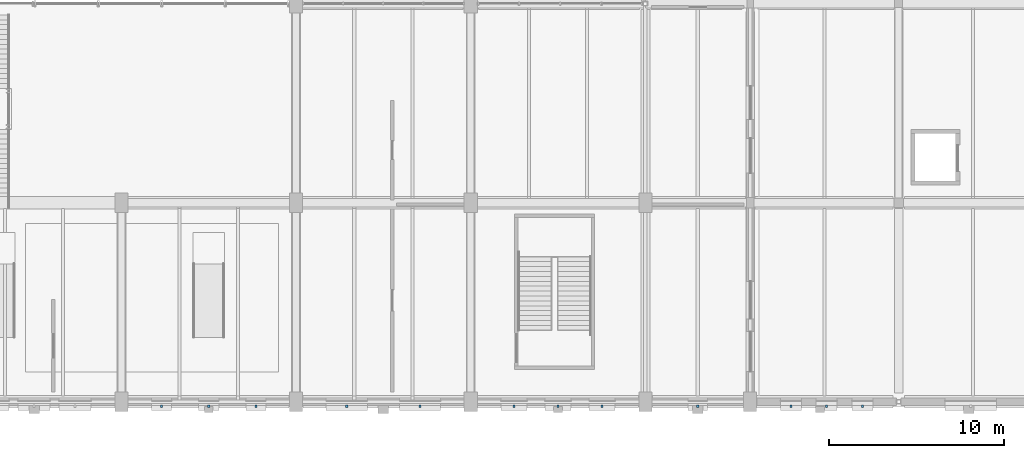
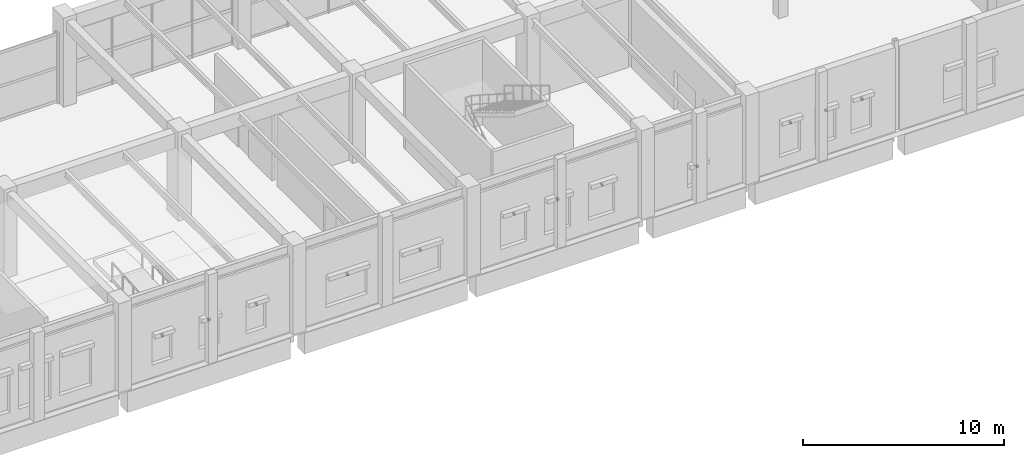
# One storey, part 100 of 113: 12 discrete accessories.
"""IFC4 building model written with IfcOpenShell, lengths in metres."""

from ifc_helpers import new_model, si_unit, direction, frame, origin, origin_2d, place, context, subcontext, project, spatial, rectangle, extrude, material, type_object, element, save


model = new_model("IFC4")

# Units and contexts
model_context = context("Model", 3, precision=1e-05, world=origin(), true_north=direction((0.0, 1.0)))
body_context = subcontext(model_context, "Body", "Model", "MODEL_VIEW")
ifc_project = project(units=[si_unit("LENGTHUNIT", "METRE"), si_unit("AREAUNIT", "SQUARE_METRE"), si_unit("VOLUMEUNIT", "CUBIC_METRE"), si_unit("PLANEANGLEUNIT", "RADIAN"), si_unit("MASSUNIT", "GRAM", prefix="KILO"), si_unit("POWERUNIT", "WATT"), si_unit("THERMODYNAMICTEMPERATUREUNIT", "KELVIN")], contexts=[model_context])

# Site, building, storey
site_placement = place(None, origin())
site = spatial("IfcSite", under=ifc_project, at=site_placement, CompositionType="ELEMENT")
building_placement = place(site_placement, origin())
building = spatial("IfcBuilding", under=site, at=building_placement, Name="Kelmbourne Parkland Aquatics Centre", CompositionType="ELEMENT")
storey_placement = place(building_placement, origin())
storey = spatial("IfcBuildingStorey", under=building, at=storey_placement, Name="L00", CompositionType="ELEMENT", Elevation=0.0)

# Discrete accessories
ifc_material = material(Name="Hot-dip galvanised structural steel AS/NZS 4680", Category="steel")
discrete_accessory_type = type_object("IfcDiscreteAccessoryType", Name="ACC-BRK-1", PredefinedType="BRACKET", material=ifc_material)
for number, where, z_axis, x_axis, name in (
    (1, (68.302001953125, 0.544921875, 2.33984375), (0.0, 0.0, 1.0), (1.0, 0.0, 0.0), "Galvanised sunshade fixing bracket 052"),
    (2, (71.0, 0.544921875, 2.33984375), (0.0, 0.0, 1.0), (1.0, 0.0, 0.0), "Galvanised sunshade fixing bracket 053"),
    (3, (73.697998046875, 0.544921875, 2.33984375), (0.0, 0.0, 1.0), (1.0, 0.0, 0.0), "Galvanised sunshade fixing bracket 054"),
    (4, (78.902099609375, 0.544921875, 2.33984375), (0.0, 0.0, 1.0), (1.0, 0.0, 0.0), "Galvanised sunshade fixing bracket 055"),
    (5, (83.097900390625, 0.544921875, 2.33984375), (0.0, 0.0, 1.0), (1.0, 0.0, 0.0), "Galvanised sunshade fixing bracket 056"),
    (6, (88.47705078125, 0.544921875, 2.639892578125), (0.0, 0.0, 1.0), (1.0, 0.0, 0.0), "Galvanised sunshade fixing bracket 057"),
    (7, (91.0, 0.544921875, 2.639892578125), (0.0, 0.0, 1.0), (1.0, 0.0, 0.0), "Galvanised sunshade fixing bracket 058"),
    (8, (93.52294921875, 0.544921875, 2.639892578125), (0.0, 0.0, 1.0), (1.0, 0.0, 0.0), "Galvanised sunshade fixing bracket 059"),
    (9, (99.0, 0.544921875, 1.83984375), (0.0, 0.0, 1.0), (1.0, 0.0, 0.0), "Galvanised sunshade fixing bracket 060"),
    (10, (104.326904296875, 0.544921875, 2.639892578125), (0.0, 0.0, 1.0), (1.0, 0.0, 0.0), "Galvanised sunshade fixing bracket 061"),
    (11, (106.375, 0.544921875, 2.639892578125), (0.0, 0.0, 1.0), (1.0, 0.0, 0.0), "Galvanised sunshade fixing bracket 062"),
    (12, (108.423095703125, 0.544921875, 2.639892578125), (0.0, 0.0, 1.0), (1.0, 0.0, 0.0), "Galvanised sunshade fixing bracket 063"),
):
    element("IfcDiscreteAccessory", number, at=place(storey_placement, frame(where, z_axis=z_axis, x_axis=x_axis)), inside=storey, type_object=discrete_accessory_type, Name=name, PredefinedType="BRACKET", context=body_context, shape_type="SweptSolid", body=[
        extrude(rectangle(XDim=0.1201171875, YDim=0.139892578125, at=origin_2d()), origin(), (0.0, 0.0, 1.0), 0.1201171875),
    ])

save(model, "model.ifc")
